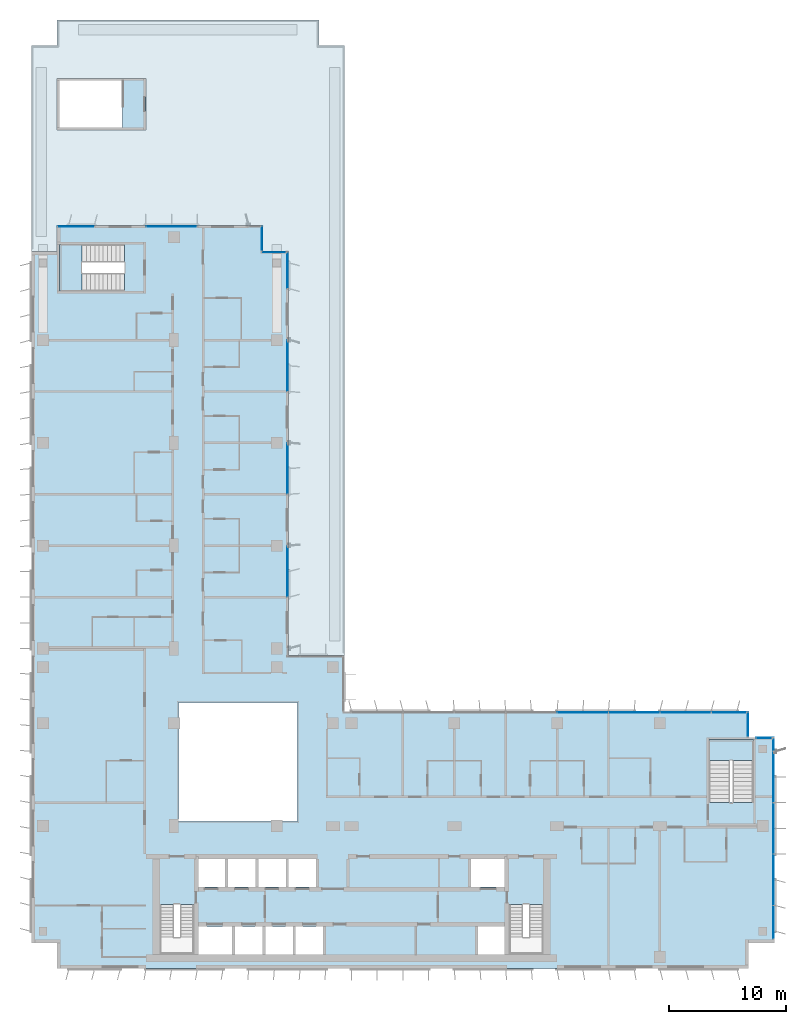
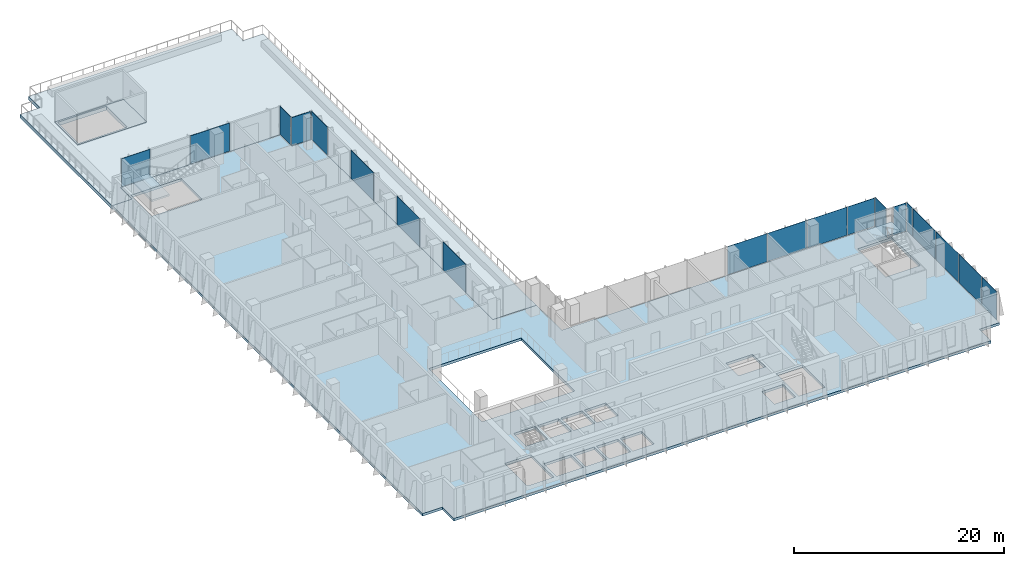
# One storey, part 10 of 22: 19 plates, 5 slabs, 14 elements without a shape of their own.
"""IFC4 building model written with IfcOpenShell, lengths in metres."""

from ifc_helpers import new_model, si_unit, direction, frame, origin, origin_2d, place, context, subcontext, project, spatial, polyline, rectangle, outline, extrude, source, transform, mapped, material, layer, layer_set, type_object, element, aggregate, save


model = new_model("IFC4")

# Units and contexts
model_context = context("Model", 3, precision=1e-05, world=origin(), true_north=direction((0.0, 1.0)))
body_context = subcontext(model_context, "Body", "Model", "MODEL_VIEW")
ifc_project = project(units=[si_unit("LENGTHUNIT", "METRE"), si_unit("AREAUNIT", "SQUARE_METRE"), si_unit("VOLUMEUNIT", "CUBIC_METRE"), si_unit("PLANEANGLEUNIT", "RADIAN"), si_unit("MASSUNIT", "GRAM", prefix="KILO")], contexts=[model_context])

# Site, building, storey
site_placement = place(None, origin())
site = spatial("IfcSite", under=ifc_project, at=site_placement, CompositionType="ELEMENT")
building_placement = place(site_placement, origin())
building = spatial("IfcBuilding", under=site, at=building_placement, Name="Kemantara Hotel Tower", CompositionType="ELEMENT")
storey_placement = place(building_placement, frame((0.0, 0.0, 153.10009765625)))
storey = spatial("IfcBuildingStorey", under=building, at=storey_placement, Name="L37", CompositionType="ELEMENT", Elevation=153.10009765625)

# Slabs
ifc_material_1 = material(Name="Concrete fc 40 MPa", Category="concrete")
ifc_layer_1 = layer(ifc_material_1, 0.449951171875)
ifc_layer_set_1 = layer_set([ifc_layer_1], Name="Concrete fc 40 MPa")
slab_type_1 = type_object("IfcSlabType", Name="Head-house landing slab 450 mm", PredefinedType="LANDING", material=ifc_layer_set_1)
slab_1_placement = place(storey_placement, frame((0.0, 0.0, -0.4501953125)))
element("IfcSlab", 1, at=slab_1_placement, inside=storey, type_object=slab_type_1, Name="Stair ST6 head-house landing", PredefinedType="LANDING", context=body_context, shape_type="SweptSolid", body=[
    extrude(outline(polyline([(2.199951171875, 71.800048828125), (9.800048828125, 71.800048828125), (9.800048828125, 76.199951171875), (2.199951171875, 76.199951171875), (2.199951171875, 71.800048828125)]), holes=[polyline([(7.79931640625, 76.0), (7.79931640625, 72.0), (2.39990234375, 72.0), (2.39990234375, 76.0), (7.79931640625, 76.0)])]), origin(), (0.0, 0.0, 1.0), 0.4501953125),
])
ifc_layer_2 = layer(ifc_material_1, 0.300048828125)
ifc_layer_set_2 = layer_set([ifc_layer_2], Name="Concrete fc 40 MPa")
slab_type_2 = type_object("IfcSlabType", Name="POST-TENSIONED FLAT PLATE 300", PredefinedType="FLOOR", material=ifc_layer_set_2)
slab_2_placement = place(storey_placement, frame((0.0, 0.0, -0.300048828125)))
element("IfcSlab", 2, at=slab_2_placement, inside=storey, type_object=slab_type_2, Name="FLOOR SLAB L37", PredefinedType="FLOOR", context=body_context, shape_type="SweptSolid", body=[
    extrude(outline(polyline([(22.0, 26.800048828125), (22.0, 61.39990234375), (19.800048828125, 61.39990234375), (19.800048828125, 63.60009765625), (2.199951171875, 63.60009765625), (2.199951171875, 61.39990234375), (0.0, 61.39990234375), (0.0, 2.199951171875), (2.199951171875, 2.199951171875), (2.199951171875, 0.0), (61.39990234375, 0.0), (61.39990234375, 2.199951171875), (63.60009765625, 2.199951171875), (63.60009765625, 19.800048828125), (61.39990234375, 19.800048828125), (61.39990234375, 22.0), (26.800048828125, 22.0), (26.800048828125, 26.800048828125), (22.0, 26.800048828125)]), holes=[polyline([(17.175048828125, 3.60009765625), (17.175048828125, 1.199951171875), (14.22509765625, 1.199951171875), (14.22509765625, 3.60009765625), (17.175048828125, 3.60009765625)]), polyline([(19.77490234375, 1.199951171875), (17.425048828125, 1.199951171875), (17.425048828125, 3.60009765625), (19.77490234375, 3.60009765625), (19.77490234375, 1.199951171875)]), polyline([(11.0, 1.199951171875), (11.0, 5.49951171875), (13.89990234375, 5.49951171875), (13.89990234375, 1.199951171875), (11.0, 1.199951171875)]), polyline([(16.574951171875, 7.0), (14.22509765625, 7.0), (14.22509765625, 9.39990234375), (16.574951171875, 9.39990234375), (16.574951171875, 7.0)]), polyline([(19.175048828125, 7.0), (16.824951171875, 7.0), (16.824951171875, 9.39990234375), (19.175048828125, 9.39990234375), (19.175048828125, 7.0)]), polyline([(21.77490234375, 7.0), (19.425048828125, 7.0), (19.425048828125, 9.39990234375), (21.77490234375, 9.39990234375), (21.77490234375, 7.0)]), polyline([(22.800048828125, 12.60009765625), (12.60009765625, 12.60009765625), (12.60009765625, 22.800048828125), (22.800048828125, 22.800048828125), (22.800048828125, 12.60009765625)]), polyline([(2.39990234375, 62.0), (7.949462890625, 62.0), (7.949462890625, 58.0), (2.39990234375, 58.0), (2.39990234375, 62.0)]), polyline([(22.375, 1.199951171875), (20.02490234375, 1.199951171875), (20.02490234375, 3.60009765625), (22.375, 3.60009765625), (22.375, 1.199951171875)]), polyline([(24.97509765625, 1.199951171875), (22.625, 1.199951171875), (22.625, 3.60009765625), (24.97509765625, 3.60009765625), (24.97509765625, 1.199951171875)]), polyline([(40.574951171875, 1.199951171875), (38.22509765625, 1.199951171875), (38.22509765625, 3.60009765625), (40.574951171875, 3.60009765625), (40.574951171875, 1.199951171875)]), polyline([(40.89990234375, 1.199951171875), (40.89990234375, 5.49951171875), (43.800048828125, 5.49951171875), (43.800048828125, 1.199951171875), (40.89990234375, 1.199951171875)]), polyline([(24.375, 7.0), (22.02490234375, 7.0), (22.02490234375, 9.39990234375), (24.375, 9.39990234375), (24.375, 7.0)]), polyline([(40.574951171875, 7.0), (37.625, 7.0), (37.625, 9.39990234375), (40.574951171875, 9.39990234375), (40.574951171875, 7.0)]), polyline([(61.800048828125, 19.60009765625), (61.800048828125, 14.20068359375), (58.0, 14.20068359375), (58.0, 19.60009765625), (61.800048828125, 19.60009765625)])]), origin(), (0.0, 0.0, 1.0), 0.300048828125),
])
ifc_layer_3 = layer(ifc_material_1, 0.39990234375)
ifc_layer_set_3 = layer_set([ifc_layer_3], Name="Concrete fc 40 MPa")
slab_type_3 = type_object("IfcSlabType", Name="REINFORCED DECK SLAB 400", PredefinedType="FLOOR", material=ifc_layer_set_3)
slab_3_placement = place(storey_placement, frame((0.0, 0.0, -0.4501953125)))
element("IfcSlab", 3, at=slab_3_placement, inside=storey, type_object=slab_type_3, Name="TERRACE SLAB S2", PredefinedType="FLOOR", context=body_context, shape_type="SweptSolid", body=[
    extrude(outline(polyline([(0.0, 79.0), (0.0, 61.39990234375), (2.199951171875, 61.39990234375), (2.199951171875, 63.60009765625), (19.800048828125, 63.60009765625), (19.800048828125, 61.39990234375), (22.0, 61.39990234375), (22.0, 26.800048828125), (26.800048828125, 26.800048828125), (26.800048828125, 79.0), (24.60009765625, 79.0), (24.60009765625, 81.199951171875), (2.199951171875, 81.199951171875), (2.199951171875, 79.0), (0.0, 79.0)]), holes=[polyline([(9.800048828125, 71.800048828125), (2.199951171875, 71.800048828125), (2.199951171875, 76.199951171875), (9.800048828125, 76.199951171875), (9.800048828125, 71.800048828125)])]), origin(), (0.0, 0.0, 1.0), 0.400146484375),
])

# Stair, slab
stair_type_1 = type_object("IfcStairType", Name="Stair 1800 wide 22 risers of 168 x 360 mm", PredefinedType="HALF_TURN_STAIR", material=ifc_material_1)
stair_1_placement = place(storey_placement, origin())
stair_1 = element("IfcStair", 4, at=stair_1_placement, inside=storey, type_object=stair_type_1, Name="L37 Exit stair ST3", PredefinedType="HALF_TURN_STAIR")
ifc_layer_4 = layer(ifc_material_1, 0.199951171875)
ifc_layer_set_4 = layer_set([ifc_layer_4], Name="Concrete fc 40 MPa")
slab_type_4 = type_object("IfcSlabType", Name="Stair landing 200 mm", PredefinedType="LANDING", material=ifc_layer_set_4)
slab_4_placement = place(storey_placement, frame((0.0, 0.0, 1.64990234375)))
slab_4 = element("IfcSlab", 5, at=slab_4_placement, type_object=slab_type_4, Name="ST3 landing 1", PredefinedType="LANDING", context=body_context, shape_type="SweptSolid", body=[
    extrude(outline(polyline([(61.800048828125, 17.800048828125), (61.800048828125, 19.60009765625), (58.0, 19.60009765625), (58.0, 17.800048828125), (61.800048828125, 17.800048828125)])), origin(), (0.0, 0.0, 1.0), 0.199951171875),
])
aggregate(stair_1, [slab_4])

stair_type_2 = type_object("IfcStairType", Name="Stair 1550 wide 22 risers of 168 x 360 mm", PredefinedType="HALF_TURN_STAIR", material=ifc_material_1)
stair_2_placement = place(storey_placement, origin())
stair_2 = element("IfcStair", 6, at=stair_2_placement, inside=storey, type_object=stair_type_2, Name="L37 Exit stair ST4", PredefinedType="HALF_TURN_STAIR")
slab_5_placement = place(storey_placement, frame((0.0, 0.0, 1.64990234375)))
slab_5 = element("IfcSlab", 7, at=slab_5_placement, type_object=slab_type_4, Name="ST4 landing 1", PredefinedType="LANDING", context=body_context, shape_type="SweptSolid", body=[
    extrude(outline(polyline([(4.35009765625, 62.0), (2.39990234375, 62.0), (2.39990234375, 58.0), (4.35009765625, 58.0), (4.35009765625, 62.0)])), origin(), (0.0, 0.0, 1.0), 0.199951171875),
])
aggregate(stair_2, [slab_5])

# Curtain wall, plates
ifc_material_2 = material(Name="Low-E tinted double insulated glass 36 mm", Category="glass")
curtain_wall_type_1 = type_object("IfcCurtainWallType", Name="TOWER CURTAIN WALL, FRONT FACES", PredefinedType="USERDEFINED", material=ifc_material_2)
curtain_wall_1_placement = place(storey_placement, origin())
curtain_wall_1 = element("IfcCurtainWall", 8, at=curtain_wall_1_placement, inside=storey, type_object=curtain_wall_type_1, Name="CW4 L37 T3-R11-1", ObjectType="TOWER CURTAIN WALL, FRONT FACES", PredefinedType="USERDEFINED")
ifc_layer_5 = layer(ifc_material_2, 0.035888671875)
ifc_layer_set_5 = layer_set([ifc_layer_5], Name="Low-E tinted double insulated glass 36 mm")
plate_type_1 = type_object("IfcPlateType", Name="TOWER CURTAIN WALL, FRONT FACES PANEL", PredefinedType="CURTAIN_PANEL", material=ifc_layer_set_5)
shared_shape_1 = source(origin(), body_context, "Body", "SweptSolid", [
    extrude(rectangle(XDim=2.81005859375, YDim=0.035888671875, at=origin_2d()), origin(), (0.0, 0.0, 1.0), 3.280029296875),
])
plate_1_placement = place(storey_placement, frame((63.52490234375, 3.965087890625, 0.1201171875), z_axis=(0.0, 0.0, 1.0), x_axis=(0.0, 1.0, 0.0)))
plate_1 = element("IfcPlate", 9, at=plate_1_placement, type_object=plate_type_1, Name="CW4 glass panel T3-R11-1.1", PredefinedType="CURTAIN_PANEL", context=body_context, shape_type="MappedRepresentation", body=[
    mapped(shared_shape_1, transform((0.0, 0.0, 0.0))),
])
shared_shape_2 = source(origin(), body_context, "Body", "SweptSolid", [
    extrude(rectangle(XDim=4.340087890625, YDim=0.035888671875, at=origin_2d()), origin(), (0.0, 0.0, 1.0), 3.280029296875),
])
plate_2_placement = place(storey_placement, frame((63.52490234375, 7.60009765625, 0.1201171875), z_axis=(0.0, 0.0, 1.0), x_axis=(0.0, 1.0, 0.0)))
plate_2 = element("IfcPlate", 10, at=plate_2_placement, type_object=plate_type_1, Name="CW4 glass panel T3-R11-1.2", PredefinedType="CURTAIN_PANEL", context=body_context, shape_type="MappedRepresentation", body=[
    mapped(shared_shape_2, transform((0.0, 0.0, 0.0))),
])
plate_3_placement = place(storey_placement, frame((63.52490234375, 12.0, 0.1201171875), z_axis=(0.0, 0.0, 1.0), x_axis=(0.0, 1.0, 0.0)))
plate_3 = element("IfcPlate", 11, at=plate_3_placement, type_object=plate_type_1, Name="CW4 glass panel T3-R11-1.3", PredefinedType="CURTAIN_PANEL", context=body_context, shape_type="MappedRepresentation", body=[
    mapped(shared_shape_2, transform((0.0, 0.0, 0.0))),
])
plate_4_placement = place(storey_placement, frame((63.52490234375, 16.39990234375, 0.1201171875), z_axis=(0.0, 0.0, 1.0), x_axis=(0.0, 1.0, 0.0)))
plate_4 = element("IfcPlate", 12, at=plate_4_placement, type_object=plate_type_1, Name="CW4 glass panel T3-R11-1.4", PredefinedType="CURTAIN_PANEL", context=body_context, shape_type="MappedRepresentation", body=[
    mapped(shared_shape_2, transform((0.0, 0.0, 0.0))),
])

curtain_wall_2_placement = place(storey_placement, origin())
curtain_wall_2 = element("IfcCurtainWall", 13, at=curtain_wall_2_placement, inside=storey, type_object=curtain_wall_type_1, Name="CW4 L37 T3-R14-1", ObjectType="TOWER CURTAIN WALL, FRONT FACES", PredefinedType="USERDEFINED")
plate_5_placement = place(storey_placement, frame((56.0, 21.925048828125, 0.1201171875), z_axis=(0.0, 0.0, 1.0), x_axis=(-1.0, 0.0, 0.0)))
plate_5 = element("IfcPlate", 14, at=plate_5_placement, type_object=plate_type_1, Name="CW4 glass panel T3-R14-1.2", PredefinedType="CURTAIN_PANEL", context=body_context, shape_type="MappedRepresentation", body=[
    mapped(shared_shape_2, transform((0.0, 0.0, 0.0))),
])
plate_6_placement = place(storey_placement, frame((51.60009765625, 21.925048828125, 0.1201171875), z_axis=(0.0, 0.0, 1.0), x_axis=(-1.0, 0.0, 0.0)))
plate_6 = element("IfcPlate", 15, at=plate_6_placement, type_object=plate_type_1, Name="CW4 glass panel T3-R14-1.3", PredefinedType="CURTAIN_PANEL", context=body_context, shape_type="MappedRepresentation", body=[
    mapped(shared_shape_2, transform((0.0, 0.0, 0.0))),
])
plate_7_placement = place(storey_placement, frame((47.199951171875, 21.925048828125, 0.1201171875), z_axis=(0.0, 0.0, 1.0), x_axis=(-1.0, 0.0, 0.0)))
plate_7 = element("IfcPlate", 16, at=plate_7_placement, type_object=plate_type_1, Name="CW4 glass panel T3-R14-1.4", PredefinedType="CURTAIN_PANEL", context=body_context, shape_type="MappedRepresentation", body=[
    mapped(shared_shape_2, transform((0.0, 0.0, 0.0))),
])

# Curtain wall, plate
ifc_material_3 = material(Name="Toughened tinted glass 32 mm", Category="glass")
curtain_wall_type_2 = type_object("IfcCurtainWallType", Name="TERRACE GLAZING WALL", PredefinedType="USERDEFINED", material=ifc_material_3)
curtain_wall_3_placement = place(storey_placement, origin())
curtain_wall_3 = element("IfcCurtainWall", 17, at=curtain_wall_3_placement, inside=storey, type_object=curtain_wall_type_2, Name="CW6 L37 T3-R02-2", ObjectType="TERRACE GLAZING WALL", PredefinedType="USERDEFINED")
ifc_layer_6 = layer(ifc_material_3, 0.031982421875)
ifc_layer_set_6 = layer_set([ifc_layer_6], Name="Toughened tinted glass 32 mm")
plate_type_2 = type_object("IfcPlateType", Name="TERRACE GLAZING WALL PANEL", PredefinedType="CURTAIN_PANEL", material=ifc_layer_set_6)
shared_shape_3 = source(origin(), body_context, "Body", "SweptSolid", [
    extrude(rectangle(XDim=4.340087890625, YDim=0.031982421875, at=origin_2d()), origin(), (0.0, 0.0, 1.0), 3.280029296875),
])
plate_8_placement = place(storey_placement, frame((12.0, 63.52490234375, 0.1201171875), z_axis=(0.0, 0.0, 1.0), x_axis=(-1.0, 0.0, 0.0)))
plate_8 = element("IfcPlate", 18, at=plate_8_placement, type_object=plate_type_2, Name="CW6 glass panel T3-R02-2.1", PredefinedType="CURTAIN_PANEL", context=body_context, shape_type="MappedRepresentation", body=[
    mapped(shared_shape_3, transform((0.0, 0.0, 0.0))),
])
aggregate(curtain_wall_3, [plate_8])

curtain_wall_4_placement = place(storey_placement, origin())
curtain_wall_4 = element("IfcCurtainWall", 19, at=curtain_wall_4_placement, inside=storey, type_object=curtain_wall_type_2, Name="CW6 L37 T3-R17-2", ObjectType="TERRACE GLAZING WALL", PredefinedType="USERDEFINED")
plate_9_placement = place(storey_placement, frame((21.925048828125, 34.0, 0.1201171875), z_axis=(0.0, 0.0, 1.0), x_axis=(0.0, 1.0, 0.0)))
plate_9 = element("IfcPlate", 20, at=plate_9_placement, type_object=plate_type_2, Name="CW6 glass panel T3-R17-2.1", PredefinedType="CURTAIN_PANEL", context=body_context, shape_type="MappedRepresentation", body=[
    mapped(shared_shape_3, transform((0.0, 0.0, 0.0))),
])
aggregate(curtain_wall_4, [plate_9])

curtain_wall_5_placement = place(storey_placement, origin())
curtain_wall_5 = element("IfcCurtainWall", 21, at=curtain_wall_5_placement, inside=storey, type_object=curtain_wall_type_2, Name="CW6 L37 T3-R17-3", ObjectType="TERRACE GLAZING WALL", PredefinedType="USERDEFINED")
plate_10_placement = place(storey_placement, frame((21.925048828125, 42.800048828125, 0.1201171875), z_axis=(0.0, 0.0, 1.0), x_axis=(0.0, 1.0, 0.0)))
plate_10 = element("IfcPlate", 22, at=plate_10_placement, type_object=plate_type_2, Name="CW6 glass panel T3-R17-3.1", PredefinedType="CURTAIN_PANEL", context=body_context, shape_type="MappedRepresentation", body=[
    mapped(shared_shape_3, transform((0.0, 0.0, 0.0))),
])
aggregate(curtain_wall_5, [plate_10])

curtain_wall_6_placement = place(storey_placement, origin())
curtain_wall_6 = element("IfcCurtainWall", 23, at=curtain_wall_6_placement, inside=storey, type_object=curtain_wall_type_2, Name="CW6 L37 T3-R17-4", ObjectType="TERRACE GLAZING WALL", PredefinedType="USERDEFINED")
plate_11_placement = place(storey_placement, frame((21.925048828125, 51.60009765625, 0.1201171875), z_axis=(0.0, 0.0, 1.0), x_axis=(0.0, 1.0, 0.0)))
plate_11 = element("IfcPlate", 24, at=plate_11_placement, type_object=plate_type_2, Name="CW6 glass panel T3-R17-4.1", PredefinedType="CURTAIN_PANEL", context=body_context, shape_type="MappedRepresentation", body=[
    mapped(shared_shape_3, transform((0.0, 0.0, 0.0))),
])
aggregate(curtain_wall_6, [plate_11])

curtain_wall_7_placement = place(storey_placement, origin())
curtain_wall_7 = element("IfcCurtainWall", 25, at=curtain_wall_7_placement, inside=storey, type_object=curtain_wall_type_2, Name="CW6 L37 T3-R02-3", ObjectType="TERRACE GLAZING WALL", PredefinedType="USERDEFINED")
shared_shape_4 = source(origin(), body_context, "Body", "SweptSolid", [
    extrude(rectangle(XDim=3.110107421875, YDim=0.031982421875, at=origin_2d()), origin(), (0.0, 0.0, 1.0), 3.280029296875),
])
plate_12_placement = place(storey_placement, frame((3.81494140625, 63.52490234375, 0.1201171875), z_axis=(0.0, 0.0, 1.0), x_axis=(-1.0, 0.0, 0.0)))
plate_12 = element("IfcPlate", 26, at=plate_12_placement, type_object=plate_type_2, Name="CW6 glass panel T3-R02-3.1", PredefinedType="CURTAIN_PANEL", context=body_context, shape_type="MappedRepresentation", body=[
    mapped(shared_shape_4, transform((0.0, 0.0, 0.0))),
])
aggregate(curtain_wall_7, [plate_12])

curtain_wall_8_placement = place(storey_placement, origin())
curtain_wall_8 = element("IfcCurtainWall", 27, at=curtain_wall_8_placement, inside=storey, type_object=curtain_wall_type_2, Name="CW6 L37 T3-R17-5", ObjectType="TERRACE GLAZING WALL", PredefinedType="USERDEFINED")
plate_13_placement = place(storey_placement, frame((21.925048828125, 59.784912109375, 0.1201171875), z_axis=(0.0, 0.0, 1.0), x_axis=(0.0, 1.0, 0.0)))
plate_13 = element("IfcPlate", 28, at=plate_13_placement, type_object=plate_type_2, Name="CW6 glass panel T3-R17-5.1", PredefinedType="CURTAIN_PANEL", context=body_context, shape_type="MappedRepresentation", body=[
    mapped(shared_shape_4, transform((0.0, 0.0, 0.0))),
])
aggregate(curtain_wall_8, [plate_13])

curtain_wall_9_placement = place(storey_placement, origin())
curtain_wall_9 = element("IfcCurtainWall", 29, at=curtain_wall_9_placement, inside=storey, type_object=curtain_wall_type_1, Name="CW4 L37 T3-R13-1", ObjectType="TOWER CURTAIN WALL, FRONT FACES", PredefinedType="USERDEFINED")
shared_shape_5 = source(origin(), body_context, "Body", "SweptSolid", [
    extrude(rectangle(XDim=2.080078125, YDim=0.035888671875, at=origin_2d()), origin(), (0.0, 0.0, 1.0), 3.280029296875),
])
plate_14_placement = place(storey_placement, frame((61.324951171875, 20.89990234375, 0.1201171875), z_axis=(0.0, 0.0, 1.0), x_axis=(0.0, 1.0, 0.0)))
plate_14 = element("IfcPlate", 30, at=plate_14_placement, type_object=plate_type_1, Name="CW4 glass panel T3-R13-1.1", PredefinedType="CURTAIN_PANEL", context=body_context, shape_type="MappedRepresentation", body=[
    mapped(shared_shape_5, transform((0.0, 0.0, 0.0))),
])
aggregate(curtain_wall_9, [plate_14])

curtain_wall_10_placement = place(storey_placement, origin())
curtain_wall_10 = element("IfcCurtainWall", 31, at=curtain_wall_10_placement, inside=storey, type_object=curtain_wall_type_2, Name="CW6 L37 T3-R00-1", ObjectType="TERRACE GLAZING WALL", PredefinedType="USERDEFINED")
shared_shape_6 = source(origin(), body_context, "Body", "SweptSolid", [
    extrude(rectangle(XDim=2.080078125, YDim=0.031982421875, at=origin_2d()), origin(), (0.0, 0.0, 1.0), 3.280029296875),
])
plate_15_placement = place(storey_placement, frame((20.75, 61.324951171875, 0.1201171875), z_axis=(0.0, 0.0, 1.0), x_axis=(-1.0, 0.0, 0.0)))
plate_15 = element("IfcPlate", 32, at=plate_15_placement, type_object=plate_type_2, Name="CW6 glass panel T3-R00-1.1", PredefinedType="CURTAIN_PANEL", context=body_context, shape_type="MappedRepresentation", body=[
    mapped(shared_shape_6, transform((0.0, 0.0, 0.0))),
])
aggregate(curtain_wall_10, [plate_15])

curtain_wall_11_placement = place(storey_placement, origin())
curtain_wall_11 = element("IfcCurtainWall", 33, at=curtain_wall_11_placement, inside=storey, type_object=curtain_wall_type_2, Name="CW6 L37 T3-R01-1", ObjectType="TERRACE GLAZING WALL", PredefinedType="USERDEFINED")
plate_16_placement = place(storey_placement, frame((19.72509765625, 62.5, 0.1201171875), z_axis=(0.0, 0.0, 1.0), x_axis=(0.0, 1.0, 0.0)))
plate_16 = element("IfcPlate", 34, at=plate_16_placement, type_object=plate_type_2, Name="CW6 glass panel T3-R01-1.1", PredefinedType="CURTAIN_PANEL", context=body_context, shape_type="MappedRepresentation", body=[
    mapped(shared_shape_6, transform((0.0, 0.0, 0.0))),
])
aggregate(curtain_wall_11, [plate_16])

# Plate
shared_shape_7 = source(origin(), body_context, "Body", "SweptSolid", [
    extrude(rectangle(XDim=2.9599609375, YDim=0.035888671875, at=origin_2d()), origin(), (0.0, 0.0, 1.0), 3.280029296875),
])
plate_17_placement = place(storey_placement, frame((59.7099609375, 21.925048828125, 0.1201171875), z_axis=(0.0, 0.0, 1.0), x_axis=(-1.0, 0.0, 0.0)))
plate_17 = element("IfcPlate", 35, at=plate_17_placement, type_object=plate_type_1, Name="CW4 glass panel T3-R14-1.1", PredefinedType="CURTAIN_PANEL", context=body_context, shape_type="MappedRepresentation", body=[
    mapped(shared_shape_7, transform((0.0, 0.0, 0.0))),
])

aggregate(curtain_wall_2, [plate_17, plate_5, plate_6, plate_7])

shared_shape_8 = source(origin(), body_context, "Body", "SweptSolid", [
    extrude(rectangle(XDim=1.110107421875, YDim=0.035888671875, at=origin_2d()), origin(), (0.0, 0.0, 1.0), 3.280029296875),
])
plate_18_placement = place(storey_placement, frame((63.52490234375, 19.18505859375, 0.1201171875), z_axis=(0.0, 0.0, 1.0), x_axis=(0.0, 1.0, 0.0)))
plate_18 = element("IfcPlate", 36, at=plate_18_placement, type_object=plate_type_1, Name="CW4 glass panel T3-R11-1.5", PredefinedType="CURTAIN_PANEL", context=body_context, shape_type="MappedRepresentation", body=[
    mapped(shared_shape_8, transform((0.0, 0.0, 0.0))),
])

aggregate(curtain_wall_1, [plate_1, plate_2, plate_3, plate_4, plate_18])

# Curtain wall, plate
curtain_wall_12_placement = place(storey_placement, origin())
curtain_wall_12 = element("IfcCurtainWall", 37, at=curtain_wall_12_placement, inside=storey, type_object=curtain_wall_type_1, Name="CW4 L37 T3-R12-1", ObjectType="TOWER CURTAIN WALL, FRONT FACES", PredefinedType="USERDEFINED")
shared_shape_9 = source(origin(), body_context, "Body", "SweptSolid", [
    extrude(rectangle(XDim=1.330078125, YDim=0.035888671875, at=origin_2d()), origin(), (0.0, 0.0, 1.0), 3.280029296875),
])
plate_19_placement = place(storey_placement, frame((62.72509765625, 19.72509765625, 0.1201171875), z_axis=(0.0, 0.0, 1.0), x_axis=(-1.0, 0.0, 0.0)))
plate_19 = element("IfcPlate", 38, at=plate_19_placement, type_object=plate_type_1, Name="CW4 glass panel T3-R12-1.1", PredefinedType="CURTAIN_PANEL", context=body_context, shape_type="MappedRepresentation", body=[
    mapped(shared_shape_9, transform((0.0, 0.0, 0.0))),
])
aggregate(curtain_wall_12, [plate_19])

save(model, "model.ifc")
